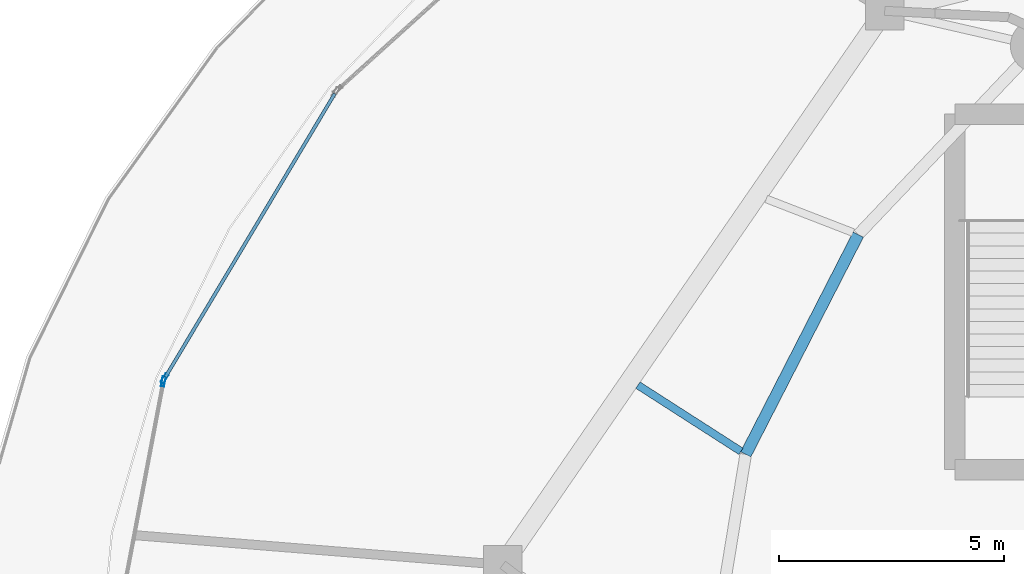
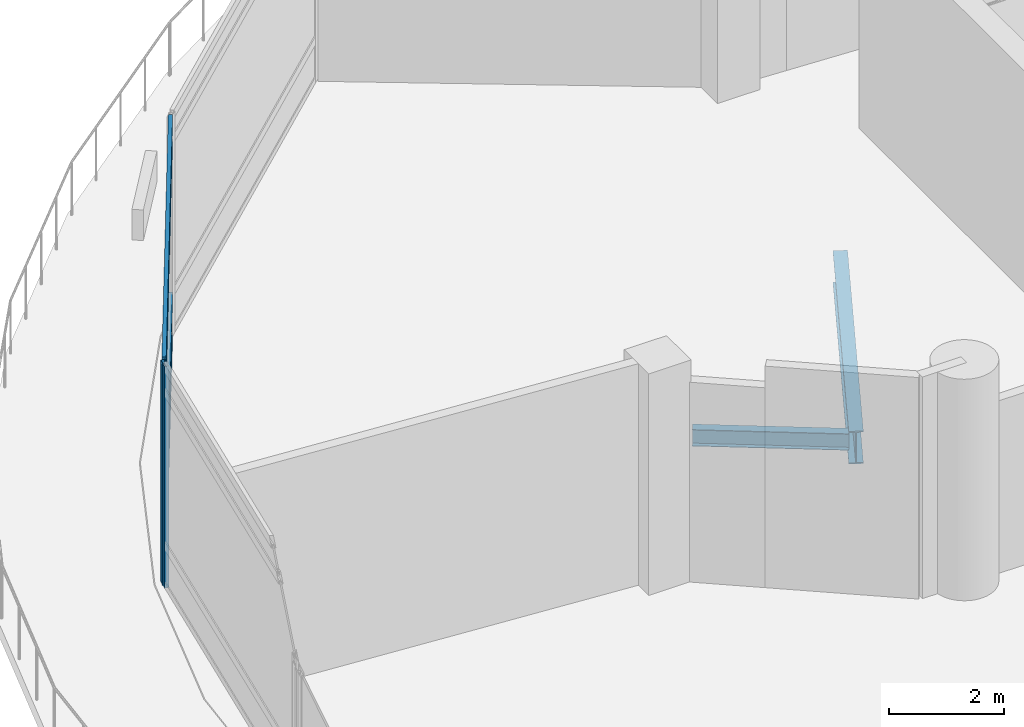
# One storey, part 13 of 37: 6 members, 2 beams, 2 elements without a shape of their own.
"""IFC4 building model written with IfcOpenShell, lengths in metres."""

from ifc_helpers import new_model, si_unit, direction, frame, origin, origin_2d, place, context, subcontext, project, spatial, hollow_rectangle, i_section, extrude, material, layer, layer_set, material_profile, profile_set, type_object, element, aggregate, save


model = new_model("IFC4")

# Units and contexts
model_context = context("Model", 3, precision=1e-05, world=origin(), true_north=direction((0.0, 1.0)))
body_context = subcontext(model_context, "Body", "Model", "MODEL_VIEW")
ifc_project = project(units=[si_unit("LENGTHUNIT", "METRE"), si_unit("AREAUNIT", "SQUARE_METRE"), si_unit("VOLUMEUNIT", "CUBIC_METRE"), si_unit("PLANEANGLEUNIT", "RADIAN"), si_unit("MASSUNIT", "GRAM", prefix="KILO")], contexts=[model_context])

# Site, building, storey
site_placement = place(None, origin())
site = spatial("IfcSite", under=ifc_project, at=site_placement, CompositionType="ELEMENT")
building_placement = place(site_placement, origin())
building = spatial("IfcBuilding", under=site, at=building_placement, Name="Nuhasar Tower", CompositionType="ELEMENT")
storey_placement = place(building_placement, frame((0.0, 0.0, 6.0)))
storey = spatial("IfcBuildingStorey", under=building, at=storey_placement, Name="L01", CompositionType="ELEMENT", Elevation=6.0)

# Beams
ifc_material_1 = material(Name="Steel S355", Category="steel")
ifc_material_profile_1 = material_profile(ifc_material_1, i_section(OverallWidth=0.1708984375, OverallDepth=0.35205078125, WebThickness=0.0068359375, FlangeThickness=0.009765625, at=origin_2d()), Name="W14X30")
ifc_profile_set_1 = profile_set([ifc_material_profile_1], Name="Steel S355")
beam_type_1 = type_object("IfcBeamType", Name="BM-JST-W14X30", PredefinedType="JOIST", material=ifc_profile_set_1)
beam_1_placement = place(storey_placement, frame((14.698974609375, 32.10791015625, -0.47607421875), z_axis=(-0.841446405515, 0.540340583934, 0.0), x_axis=(-0.540340583934, -0.841446405515, 0.0)))
element("IfcBeam", 1, at=beam_1_placement, inside=storey, type_object=beam_type_1, Name="L01 Podium Secondary Joist 14", PredefinedType="JOIST", context=body_context, shape_type="SweptSolid", body=[
    extrude(i_section(OverallWidth=0.1708984375, OverallDepth=0.35205078125, WebThickness=0.0068359375, FlangeThickness=0.009765625, at=origin_2d()), origin(), (0.0, 0.0, 1.0), 2.72265625),
])
ifc_material_profile_2 = material_profile(ifc_material_1, i_section(OverallWidth=0.256103515625, OverallDepth=0.693115234375, WebThickness=0.014404296875, FlangeThickness=0.023681640625, at=origin_2d()), Name="W27X114")
ifc_profile_set_2 = profile_set([ifc_material_profile_2], Name="Steel S355")
beam_type_2 = type_object("IfcBeamType", Name="BM-RING-W27X114", PredefinedType="SPANDREL", material=ifc_profile_set_2)
beam_2_placement = place(storey_placement, frame((17.305908203125, 36.925048828125, -0.64599609375), z_axis=(-0.455930023905, -0.890015625314, 0.0), x_axis=(0.890015625314, -0.455930023905, 0.0)))
element("IfcBeam", 2, at=beam_2_placement, inside=storey, type_object=beam_type_2, Name="L01 Mega-Column Perimeter Ring Spandrel 07-2", PredefinedType="SPANDREL", context=body_context, shape_type="SweptSolid", body=[
    extrude(i_section(OverallWidth=0.256103515625, OverallDepth=0.693115234375, WebThickness=0.014404296875, FlangeThickness=0.023681640625, at=origin_2d()), origin(), (0.0, 0.0, 1.0), 5.487548828125),
])

# Curtain wall, member
ifc_material_2 = material(Name="Aluminium 6063-T6", Category="aluminium")
ifc_layer = layer(ifc_material_2, 0.219970703125)
ifc_layer_set = layer_set([ifc_layer], Name="Aluminium 6063-T6")
curtain_wall_type = type_object("IfcCurtainWallType", Name="CW-PODIUM", PredefinedType="NOTDEFINED", material=ifc_layer_set)
curtain_wall_1_placement = place(storey_placement, origin())
curtain_wall_1 = element("IfcCurtainWall", 3, at=curtain_wall_1_placement, inside=storey, type_object=curtain_wall_type, Name="L01 Podium Curtain Wall Bay 11", PredefinedType="NOTDEFINED")
ifc_material_profile_3 = material_profile(ifc_material_2, hollow_rectangle(XDim=0.074951171875, YDim=0.219970703125, WallThickness=0.0048828125, at=origin_2d()), Name="CWM-1")
ifc_profile_set_3 = profile_set([ifc_material_profile_3], Name="Aluminium 6063-T6")
member_type_1 = type_object("IfcMemberType", Name="CW-MUL-S1", PredefinedType="MULLION", material=ifc_profile_set_3)
member_1_placement = place(storey_placement, frame((1.88916015625, 33.727294921875, 0.0), z_axis=(0.0, 0.0, 1.0), x_axis=(0.858375772952, -0.513021473633, 0.0)))
member_1 = element("IfcMember", 4, at=member_1_placement, type_object=member_type_1, Name="CW-P1 mullion 2", PredefinedType="MULLION", context=body_context, shape_type="SweptSolid", body=[
    extrude(hollow_rectangle(XDim=0.074951171875, YDim=0.219970703125, WallThickness=0.0048828125, at=origin_2d()), origin(), (0.0, 0.0, 1.0), 4.699951171875),
])

curtain_wall_2_placement = place(storey_placement, origin())
curtain_wall_2 = element("IfcCurtainWall", 5, at=curtain_wall_2_placement, inside=storey, type_object=curtain_wall_type, Name="L01 Podium Curtain Wall Bay 12", PredefinedType="NOTDEFINED")
member_2_placement = place(storey_placement, frame((1.863037109375, 33.658203125, 0.0), z_axis=(0.0, 0.0, 1.0), x_axis=(0.982425758113, -0.186653769843, 0.0)))
member_2 = element("IfcMember", 6, at=member_2_placement, type_object=member_type_1, Name="CW-P1 mullion 1", PredefinedType="MULLION", context=body_context, shape_type="SweptSolid", body=[
    extrude(hollow_rectangle(XDim=0.074951171875, YDim=0.219970703125, WallThickness=0.0048828125, at=origin_2d()), origin(), (0.0, 0.0, 1.0), 4.699951171875),
])
aggregate(curtain_wall_2, [member_2])

# Member
ifc_material_profile_4 = material_profile(ifc_material_2, hollow_rectangle(XDim=0.074951171875, YDim=0.179931640625, WallThickness=0.00439453125, at=origin_2d()), Name="CWT-1")
ifc_profile_set_4 = profile_set([ifc_material_profile_4], Name="Aluminium 6063-T6")
member_type_2 = type_object("IfcMemberType", Name="CW-TRN-S1", PredefinedType="USERDEFINED", material=ifc_profile_set_4)
member_3_placement = place(storey_placement, frame((5.671630859375, 40.0556640625, 0.03759765625), z_axis=(-0.513026626391, -0.858372693306, 0.0), x_axis=(0.858372693306, -0.513026626391, 0.0)))
member_3 = element("IfcMember", 7, at=member_3_placement, type_object=member_type_2, Name="CW-P1 transom 1.1", ObjectType="TRANSOM", PredefinedType="USERDEFINED", context=body_context, shape_type="SweptSolid", body=[
    extrude(hollow_rectangle(XDim=0.074951171875, YDim=0.179931640625, WallThickness=0.00439453125, at=origin_2d()), origin(), (0.0, 0.0, 1.0), 7.335205078125),
])

member_4_placement = place(storey_placement, frame((5.671630859375, 40.0556640625, 0.89990234375), z_axis=(-0.513026626391, -0.858372693306, 0.0), x_axis=(0.858372693306, -0.513026626391, 0.0)))
member_4 = element("IfcMember", 8, at=member_4_placement, type_object=member_type_2, Name="CW-P1 transom 1.2", ObjectType="TRANSOM", PredefinedType="USERDEFINED", context=body_context, shape_type="SweptSolid", body=[
    extrude(hollow_rectangle(XDim=0.074951171875, YDim=0.179931640625, WallThickness=0.00439453125, at=origin_2d()), origin(), (0.0, 0.0, 1.0), 7.335205078125),
])

member_5_placement = place(storey_placement, frame((5.671630859375, 40.0556640625, 4.14990234375), z_axis=(-0.513026626391, -0.858372693306, 0.0), x_axis=(0.858372693306, -0.513026626391, 0.0)))
member_5 = element("IfcMember", 9, at=member_5_placement, type_object=member_type_2, Name="CW-P1 transom 1.3", ObjectType="TRANSOM", PredefinedType="USERDEFINED", context=body_context, shape_type="SweptSolid", body=[
    extrude(hollow_rectangle(XDim=0.074951171875, YDim=0.179931640625, WallThickness=0.00439453125, at=origin_2d()), origin(), (0.0, 0.0, 1.0), 7.335205078125),
])

member_6_placement = place(storey_placement, frame((5.671630859375, 40.0556640625, 4.66259765625), z_axis=(-0.513026626391, -0.858372693306, 0.0), x_axis=(0.858372693306, -0.513026626391, 0.0)))
member_6 = element("IfcMember", 10, at=member_6_placement, type_object=member_type_2, Name="CW-P1 transom 1.4", ObjectType="TRANSOM", PredefinedType="USERDEFINED", context=body_context, shape_type="SweptSolid", body=[
    extrude(hollow_rectangle(XDim=0.074951171875, YDim=0.179931640625, WallThickness=0.00439453125, at=origin_2d()), origin(), (0.0, 0.0, 1.0), 7.335205078125),
])

aggregate(curtain_wall_1, [member_1, member_3, member_4, member_5, member_6])

save(model, "model.ifc")
